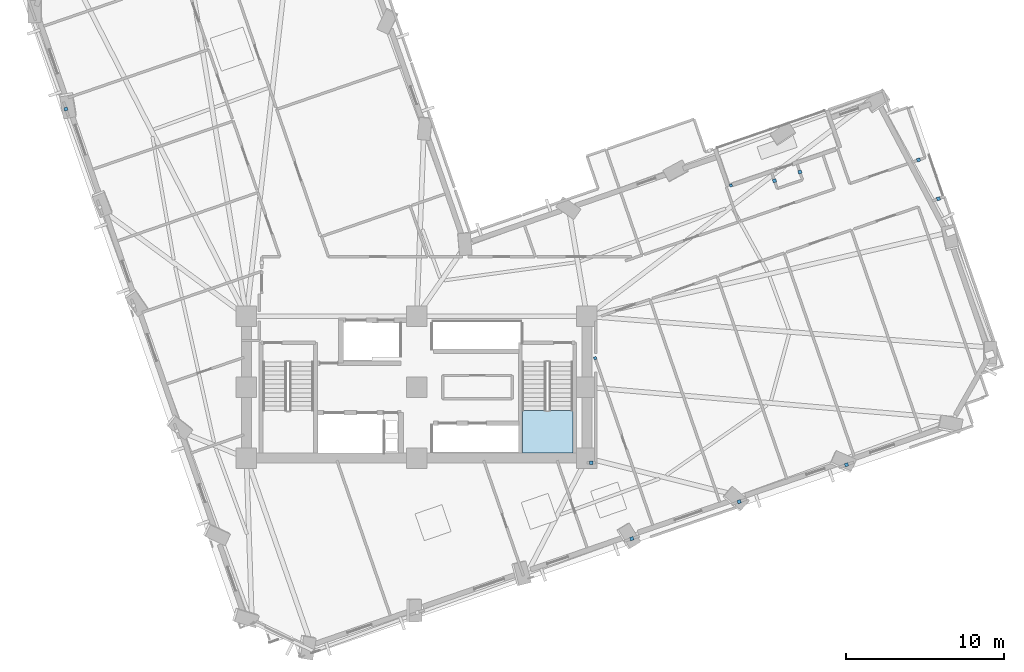
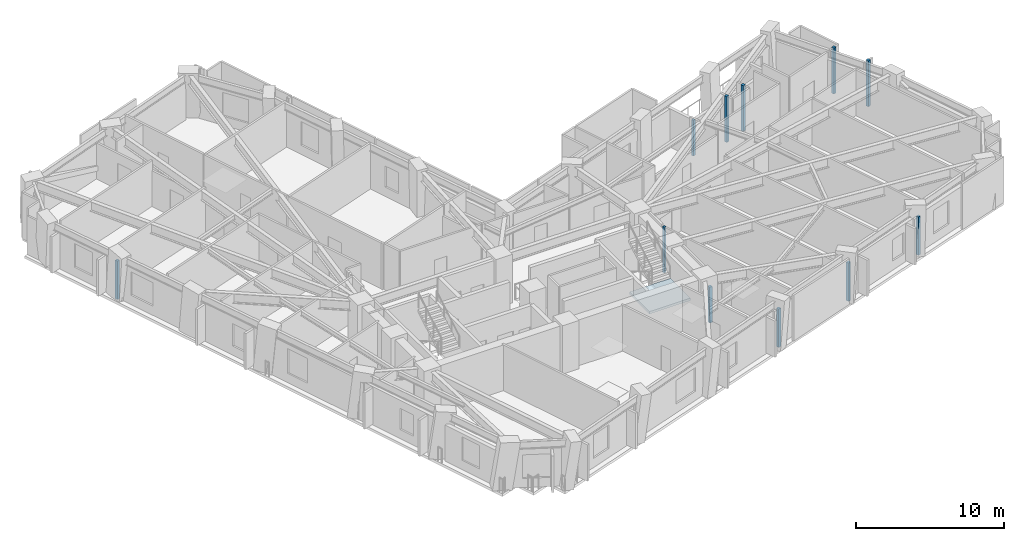
# One storey, part 5 of 15: 11 plates, 1 slab, 1 element without a shape of its own.
"""IFC4 building model written with IfcOpenShell, lengths in metres."""

import ifcopenshell
import ifcopenshell.guid

model = None  # the IFC model being written
_history = None  # IfcOwnerHistory: only IFC2X3 demands one
_inside = {}  # id of a spatial element -> (the spatial element, [elements in it])
_under = {}  # id of a project, library or spatial element -> (it, [spatial elements below it])
_declared = {}  # id of a project -> (the project, [libraries it declares])
_typed = {}  # id of a type object -> (the type object, [elements of that type])
_made_of = {}  # id of a material, layer set ... -> (it, [elements and type objects made of it])


def new_model(schema):
    """Start an empty IFC model of exactly this schema.

    Asked for "IFC4X3", IfcOpenShell would pick the latest addendum, in which some entities
    have other attributes; the version numbers below select the first issue.
    IFC2X3 requires an IfcOwnerHistory on every rooted entity: one is made here for all.
    """
    global model, _history
    if schema == "IFC4X3":
        model = ifcopenshell.file(schema_version=(4, 3, 0, 0))
    else:
        model = ifcopenshell.file(schema=schema)
    _inside.clear()
    _under.clear()
    _declared.clear()
    _typed.clear()
    _made_of.clear()
    _history = None
    if model.schema == "IFC2X3":
        org = make("IfcOrganization", Name="unknown")
        user = make(
            "IfcPersonAndOrganization",
            ThePerson=make("IfcPerson", FamilyName="unknown"),
            TheOrganization=org,
        )
        app = make(
            "IfcApplication",
            ApplicationDeveloper=org,
            Version="unknown",
            ApplicationFullName="unknown",
            ApplicationIdentifier="unknown",
        )
        _history = make(
            "IfcOwnerHistory",
            OwningUser=user,
            OwningApplication=app,
            ChangeAction="ADDED",
            CreationDate=0,
        )
    return model


def make(cls, **values):
    """One entity of the class cls with the attributes given. An attribute that is None is left unset."""
    return model.create_entity(
        cls, **{name: value for name, value in values.items() if value is not None}
    )


def rooted(cls, **values):
    """An entity with a GlobalId (a new one), such as an element, a storey or a relation."""
    return make(cls, GlobalId=ifcopenshell.guid.new(), OwnerHistory=_history, **values)


def si_unit(unit_type, name, prefix=None):
    """IfcSIUnit, for example si_unit("LENGTHUNIT", "METRE", prefix="MILLI")."""
    return make("IfcSIUnit", UnitType=unit_type, Prefix=prefix, Name=name)


def assignment(units):
    """IfcUnitAssignment: the units of a project."""
    return None if units is None else make("IfcUnitAssignment", Units=units)


def point(xyz):
    """IfcCartesianPoint."""
    return None if xyz is None else make("IfcCartesianPoint", Coordinates=xyz)


def direction(xyz):
    """IfcDirection."""
    return None if xyz is None else make("IfcDirection", DirectionRatios=xyz)


def frame(location, z_axis=None, x_axis=None):
    """IfcAxis2Placement3D, a coordinate frame: its origin and axes. An axis left out is left unset."""
    return make(
        "IfcAxis2Placement3D",
        Location=point(location),
        Axis=direction(z_axis),
        RefDirection=direction(x_axis),
    )


def frame_2d(location, x_axis=None):
    """IfcAxis2Placement2D, a coordinate frame in the plane: its origin and x axis."""
    return make(
        "IfcAxis2Placement2D", Location=point(location), RefDirection=direction(x_axis)
    )


def origin():
    """The frame at (0, 0, 0) with its axes left unset."""
    return frame((0.0, 0.0, 0.0))


def origin_2d():
    """The frame at (0, 0) in the plane with its x axis left unset."""
    return frame_2d((0.0, 0.0))


def place(relative_to, where):
    """IfcLocalPlacement: puts the frame where relative to a parent placement (None: the world)."""
    return make(
        "IfcLocalPlacement", PlacementRelTo=relative_to, RelativePlacement=where
    )


def context(
    kind, dimensions, precision=None, world=None, true_north=None, identifier=None
):
    """IfcGeometricRepresentationContext, for example the 3D "Model" context."""
    return make(
        "IfcGeometricRepresentationContext",
        ContextIdentifier=identifier,
        ContextType=kind,
        CoordinateSpaceDimension=dimensions,
        Precision=precision,
        WorldCoordinateSystem=world,
        TrueNorth=true_north,
    )


def subcontext(parent, identifier, kind, view, scale=None):
    """IfcGeometricRepresentationSubContext, for example "Body" below "Model"."""
    return make(
        "IfcGeometricRepresentationSubContext",
        ContextIdentifier=identifier,
        ContextType=kind,
        ParentContext=parent,
        TargetScale=scale,
        TargetView=view,
    )


def project(units=None, contexts=None):
    """IfcProject with its units and contexts."""
    return rooted(
        "IfcProject",
        Name="project",
        RepresentationContexts=contexts,
        UnitsInContext=assignment(units),
    )


def spatial(cls, under=None, at=None, **own):
    """A site, building, storey or space (cls), placed at a placement, below another one or the project."""
    s = rooted(cls, ObjectPlacement=at, **own)
    if under is not None:
        _under.setdefault(under.id(), (under, []))[1].append(s)
    return s


def polyline(points):
    """IfcPolyline through the points."""
    return make("IfcPolyline", Points=[point(p) for p in points])


def profile(cls, at=None, kind="AREA", **sizes):
    """A parametric profile (cls). Its sizes go by their IFC names, for example OverallWidth=200.0."""
    return make(cls, ProfileType=kind, Position=at, **sizes)


def rectangle(**sizes):
    """IfcRectangleProfileDef."""
    return profile("IfcRectangleProfileDef", **sizes)


def outline(outer, holes=None, kind="AREA"):
    """IfcArbitraryClosedProfileDef: a profile drawn as a closed curve; with holes, ...WithVoids."""
    if holes is None:
        return make("IfcArbitraryClosedProfileDef", ProfileType=kind, OuterCurve=outer)
    return make(
        "IfcArbitraryProfileDefWithVoids",
        ProfileType=kind,
        OuterCurve=outer,
        InnerCurves=holes,
    )


def extrude(swept, where, along, depth):
    """IfcExtrudedAreaSolid: the profile swept, set in the frame where, extruded along a direction by depth."""
    return make(
        "IfcExtrudedAreaSolid",
        SweptArea=swept,
        Position=where,
        ExtrudedDirection=direction(along),
        Depth=depth,
    )


def shape(context_of_items, identifier, shape_type, items):
    """IfcShapeRepresentation: the items that make up one representation, for example the "Body"."""
    return make(
        "IfcShapeRepresentation",
        ContextOfItems=context_of_items,
        RepresentationIdentifier=identifier,
        RepresentationType=shape_type,
        Items=items,
    )


def material(Name=None, Category=None):
    """IfcMaterial."""
    return make("IfcMaterial", Name=Name, Category=Category)


def layer(
    of_material, thickness, ventilated=None, Name=None, Category=None, Priority=None
):
    """IfcMaterialLayer: one layer of a wall or slab, of a material (None: an air gap)."""
    return make(
        "IfcMaterialLayer",
        Material=of_material,
        LayerThickness=thickness,
        IsVentilated=ventilated,
        Name=Name,
        Category=Category,
        Priority=Priority,
    )


def layer_set(layers, Name=None):
    """IfcMaterialLayerSet."""
    return make("IfcMaterialLayerSet", MaterialLayers=layers, LayerSetName=Name)


def made_of(thing, what):
    """Note that an element or type object is made of a material, layer set ...; save() writes the relation."""
    if what is not None:
        _made_of.setdefault(what.id(), (what, []))[1].append(thing)
    return thing


def type_object(cls, material=None, **own):
    """A type object (cls), such as IfcWallType, which elements share."""
    return made_of(rooted(cls, **own), material)


def element(
    cls,
    number,
    at=None,
    inside=None,
    cuts=None,
    type_object=None,
    material=None,
    context=None,
    identifier="Body",
    shape_type=None,
    held_by="IfcProductDefinitionShape",
    body=None,
    shapes=None,
    **own,
):
    """One element of the class cls, such as IfcWall. Its Tag is "e" and its number.

    at: its placement. inside: the storey or other place that contains it. cuts: it is an
    opening in that element (IfcRelVoidsElement). A single representation is given by context,
    identifier, shape_type and body (its items); several are given by shapes. held_by: the class
    of the entity that holds the representations. save() writes the other relations.
    """
    e = rooted(cls, Tag="e%d" % number, ObjectPlacement=at, **own)
    if body is not None:
        shapes = [shape(context, identifier, shape_type, body)]
    if shapes is not None:
        e.Representation = make(held_by, Representations=shapes)
    if inside is not None:
        _inside.setdefault(inside.id(), (inside, []))[1].append(e)
    if cuts is not None:
        rooted(
            "IfcRelVoidsElement", RelatingBuildingElement=cuts, RelatedOpeningElement=e
        )
    if type_object is not None:
        _typed.setdefault(type_object.id(), (type_object, []))[1].append(e)
    return made_of(e, material)


def aggregate(whole, parts):
    """IfcRelAggregates: a whole, such as a stair, and the parts it consists of."""
    return rooted("IfcRelAggregates", RelatingObject=whole, RelatedObjects=parts)


def save(model, path):
    """Write the relations noted so far, then the file.

    IfcRelAggregates (storeys below a building ...), IfcRelContainedInSpatialStructure (elements
    in a storey), IfcRelDefinesByType, IfcRelAssociatesMaterial and IfcRelDeclares: one each for
    every whole, place, type object, material and project.
    """
    for whole, parts in _under.values():
        aggregate(whole, parts)
    for where, things in _inside.values():
        rooted(
            "IfcRelContainedInSpatialStructure",
            RelatedElements=things,
            RelatingStructure=where,
        )
    for kind, things in _typed.values():
        rooted("IfcRelDefinesByType", RelatedObjects=things, RelatingType=kind)
    for what, things in _made_of.values():
        rooted("IfcRelAssociatesMaterial", RelatedObjects=things, RelatingMaterial=what)
    for by, libraries in _declared.values():
        rooted("IfcRelDeclares", RelatingContext=by, RelatedDefinitions=libraries)
    model.write(path)


model = new_model("IFC4")

# Units and contexts
model_context = context("Model", 3, precision=1e-05, world=origin(), true_north=direction((0.0, 1.0)))
body_context = subcontext(model_context, "Body", "Model", "MODEL_VIEW")
ifc_project = project(units=[si_unit("LENGTHUNIT", "METRE"), si_unit("AREAUNIT", "SQUARE_METRE"), si_unit("VOLUMEUNIT", "CUBIC_METRE"), si_unit("PLANEANGLEUNIT", "RADIAN"), si_unit("MASSUNIT", "GRAM", prefix="KILO")], contexts=[model_context])

# Site, building, storey
site_placement = place(None, origin())
site = spatial("IfcSite", under=ifc_project, at=site_placement, CompositionType="ELEMENT")
building_placement = place(site_placement, origin())
building = spatial("IfcBuilding", under=site, at=building_placement, Name="Gaonmaruhae Medical Tower", CompositionType="ELEMENT")
storey_placement = place(building_placement, frame((0.0, 0.0, 104.39990234375)))
storey = spatial("IfcBuildingStorey", under=building, at=storey_placement, Name="L24", CompositionType="ELEMENT", Elevation=104.39990234375)

# Plates
ifc_material_1 = material(Name="Anodised aluminium 6063-T6", Category="aluminium")
ifc_layer_1 = layer(ifc_material_1, 0.011962890625)
ifc_layer_set_1 = layer_set([ifc_layer_1], Name="Anodised aluminium 6063-T6")
plate_type = type_object("IfcPlateType", Name="PP-01 Interior Partition Corner Stiffener Plate", PredefinedType="SHEET", material=ifc_layer_set_1)
plate_1_placement = place(storey_placement, frame((44.731689453125, 25.1005859375, 0.0), z_axis=(0.0, 0.0, 1.0), x_axis=(0.945518575599, 0.325568154457, 0.0)))
element("IfcPlate", 1, at=plate_1_placement, inside=storey, type_object=plate_type, Name="L24 Partition End Jamb Post Plate PLT-L24-ENDP-TERB-0", PredefinedType="SHEET", context=body_context, shape_type="SweptSolid", body=[
    extrude(rectangle(XDim=0.179931640625, YDim=0.179931640625, at=origin_2d()), origin(), (0.0, 0.0, 1.0), 2.945068359375),
])
plate_2_placement = place(storey_placement, frame((36.1240234375, 14.1376953125, 0.0), z_axis=(0.0, 0.0, 1.0), x_axis=(0.325568154457, -0.945518575599, 0.0)))
element("IfcPlate", 2, at=plate_2_placement, inside=storey, type_object=plate_type, Name="L24 Partition End Jamb Post Plate PLT-L24-ENDP-PW011-0", PredefinedType="SHEET", context=body_context, shape_type="SweptSolid", body=[
    extrude(rectangle(XDim=0.179931640625, YDim=0.179931640625, at=origin_2d()), origin(), (0.0, 0.0, 1.0), 3.780029296875),
])
plate_3_placement = place(storey_placement, frame((38.446044921875, 2.693603515625, 0.0), z_axis=(0.0, 0.0, 1.0), x_axis=(-0.945512893219, -0.32558465682, 0.0)))
element("IfcPlate", 3, at=plate_3_placement, inside=storey, type_object=plate_type, Name="L24 Partition Corner Stiffener Plate PLT-L24-JGP-PW012", PredefinedType="SHEET", context=body_context, shape_type="SweptSolid", body=[
    extrude(rectangle(XDim=0.219970703125, YDim=0.219970703125, at=origin_2d()), origin(), (0.0, 0.0, 1.0), 3.1650390625),
])
plate_4_placement = place(storey_placement, frame((35.875, 7.5, 0.0), z_axis=(0.0, 0.0, 1.0), x_axis=(1.0, 0.0, 0.0)))
element("IfcPlate", 4, at=plate_4_placement, inside=storey, type_object=plate_type, Name="L24 Partition Corner Stiffener Plate PLT-L24-JGP-PW013", PredefinedType="SHEET", context=body_context, shape_type="SweptSolid", body=[
    extrude(rectangle(XDim=0.219970703125, YDim=0.219970703125, at=origin_2d()), origin(), (0.0, 0.0, 1.0), 2.965087890625),
])
for number, where, z_axis, x_axis, name in (
    (5, (45.2529296875, 5.03759765625, 0.0), (0.0, 0.0, 1.0), (-0.945296749363, -0.326211673065, 0.0), "L24 Partition Corner Stiffener Plate PLT-L24-JGP-PW021"),
    (6, (52.06005859375, 7.381591796875, 0.0), (0.0, 0.0, 1.0), (-0.945450368027, -0.325766176263, 0.0), "L24 Partition Corner Stiffener Plate PLT-L24-JGP-PW024"),
    (7, (2.553466796875, 29.944091796875, 0.0), (0.0, 0.0, 1.0), (-0.325898182861, 0.945404873273, 0.0), "L24 Partition Corner Stiffener Plate PLT-L24-JGP-PW051"),
):
    element("IfcPlate", number, at=place(storey_placement, frame(where, z_axis=z_axis, x_axis=x_axis)), inside=storey, type_object=plate_type, Name=name, PredefinedType="SHEET", context=body_context, shape_type="SweptSolid", body=[
        extrude(rectangle(XDim=0.219970703125, YDim=0.219970703125, at=origin_2d()), origin(), (0.0, 0.0, 1.0), 3.1650390625),
    ])
for number, where, z_axis, x_axis, name in (
    (8, (47.49609375, 25.39404296875, 0.0), (0.0, 0.0, 1.0), (0.325881682384, -0.945410561125, 0.0), "L24 Partition Corner Stiffener Plate PLT-L24-JGP-PW082"),
    (9, (49.1044921875, 25.947998046875, 0.0), (0.0, 0.0, 1.0), (-0.325023520882, 0.945705932557, 0.0), "L24 Partition Corner Stiffener Plate PLT-L24-JGP-PW084"),
    (10, (56.631103515625, 26.71240234375, 0.0), (0.0, 0.0, 1.0), (-0.94557538356, -0.325403125376, 0.0), "L24 Partition Corner Stiffener Plate PLT-L24-JGP-PW090"),
    (11, (57.89404296875, 24.2490234375, 0.0), (0.0, 0.0, 1.0), (0.945711605144, 0.32500701515, 0.0), "L24 Partition Corner Stiffener Plate PLT-L24-JGP-PW112"),
):
    element("IfcPlate", number, at=place(storey_placement, frame(where, z_axis=z_axis, x_axis=x_axis)), inside=storey, type_object=plate_type, Name=name, PredefinedType="SHEET", context=body_context, shape_type="SweptSolid", body=[
        extrude(rectangle(XDim=0.219970703125, YDim=0.219970703125, at=origin_2d()), origin(), (0.0, 0.0, 1.0), 3.780029296875),
    ])

# Stair, slab
ifc_material_2 = material(Name="Concrete C40/50", Category="concrete")
stair_type = type_object("IfcStairType", Name="ST-T1 Primary Core Escape Dogleg Stair", PredefinedType="TWO_QUARTER_TURN_STAIR", material=ifc_material_2)
stair_placement = place(storey_placement, origin())
stair = element("IfcStair", 12, at=stair_placement, inside=storey, type_object=stair_type, Name="L24 Protected Escape Stair ST-02", PredefinedType="TWO_QUARTER_TURN_STAIR")
ifc_layer_2 = layer(ifc_material_2, 0.199951171875)
ifc_layer_set_2 = layer_set([ifc_layer_2], Name="Concrete C40/50")
slab_type = type_object("IfcSlabType", Name="SL-200 Stair & Ramp Intermediate Concrete Landing", PredefinedType="LANDING", material=ifc_layer_set_2)
slab_placement = place(storey_placement, frame((0.0, 0.0, 1.800048828125)))
slab = element("IfcSlab", 13, at=slab_placement, type_object=slab_type, Name="ST-02 landing 1", PredefinedType="LANDING", context=body_context, shape_type="SweptSolid", body=[
    extrude(outline(polyline([(31.5, 10.820068359375), (31.5, 8.12890625), (34.699951171875, 8.12890625), (34.699951171875, 10.820068359375), (31.5, 10.820068359375)])), origin(), (0.0, 0.0, 1.0), 0.199951171875),
])
aggregate(stair, [slab])

save(model, "model.ifc")
